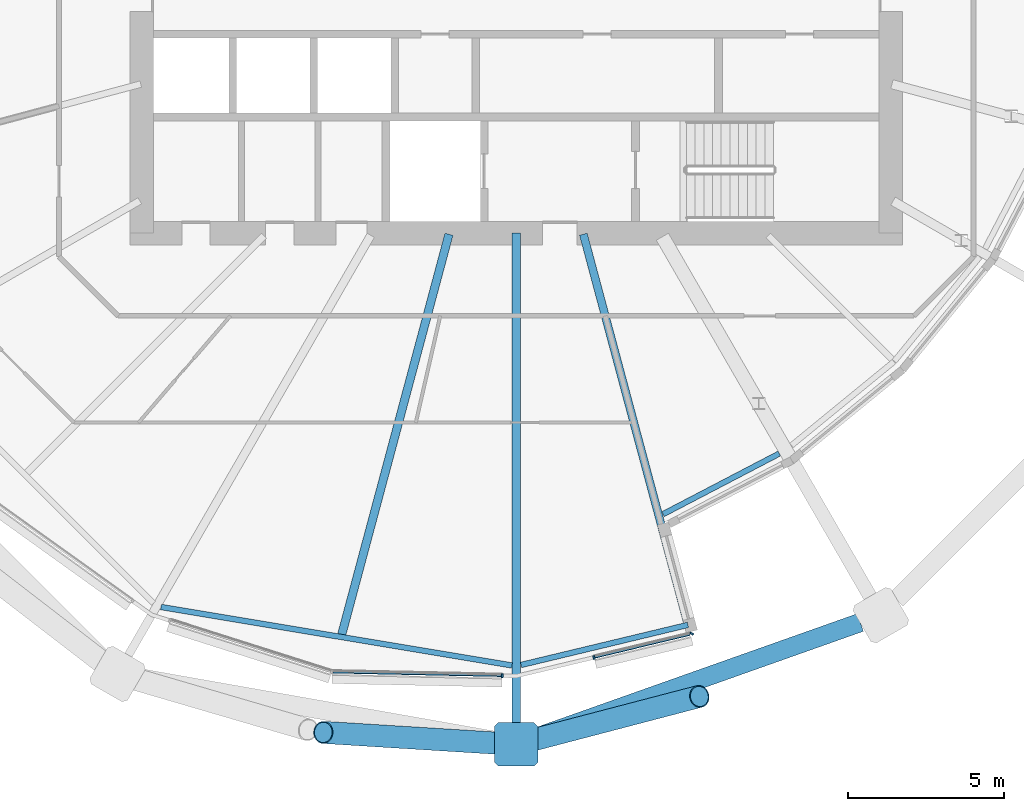
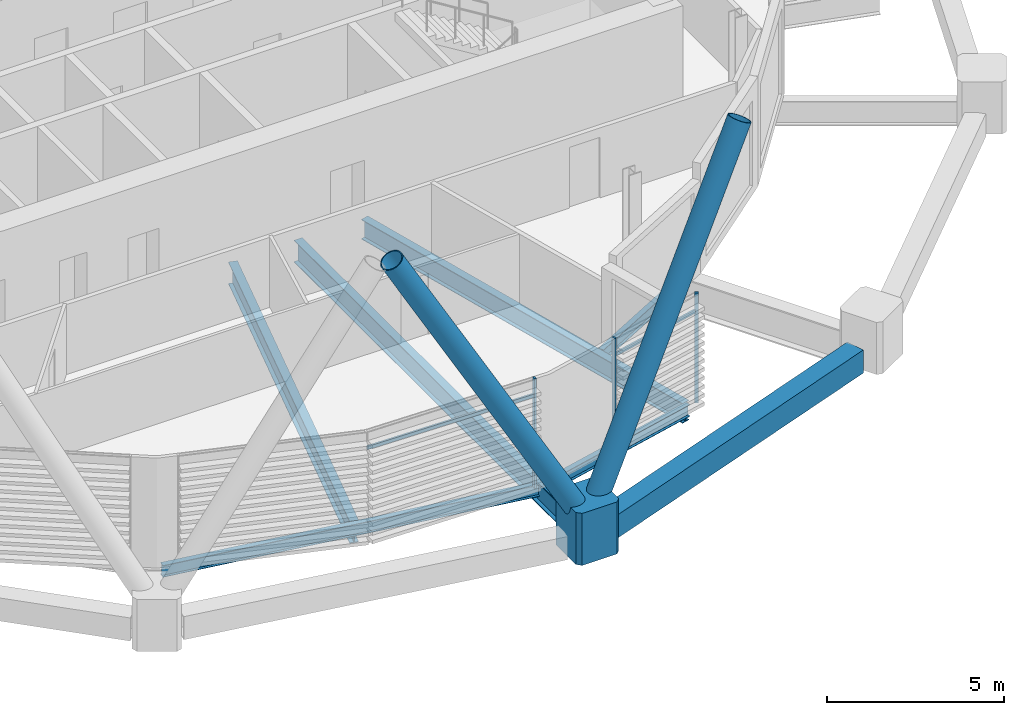
# One storey, part 14 of 38: 8 members, 7 beams, 1 element without a shape of its own.
"""IFC4 building model written with IfcOpenShell, lengths in metres."""

import ifcopenshell
import ifcopenshell.guid

model = None  # the IFC model being written
_history = None  # IfcOwnerHistory: only IFC2X3 demands one
_inside = {}  # id of a spatial element -> (the spatial element, [elements in it])
_under = {}  # id of a project, library or spatial element -> (it, [spatial elements below it])
_declared = {}  # id of a project -> (the project, [libraries it declares])
_typed = {}  # id of a type object -> (the type object, [elements of that type])
_made_of = {}  # id of a material, layer set ... -> (it, [elements and type objects made of it])


def new_model(schema):
    """Start an empty IFC model of exactly this schema.

    Asked for "IFC4X3", IfcOpenShell would pick the latest addendum, in which some entities
    have other attributes; the version numbers below select the first issue.
    IFC2X3 requires an IfcOwnerHistory on every rooted entity: one is made here for all.
    """
    global model, _history
    if schema == "IFC4X3":
        model = ifcopenshell.file(schema_version=(4, 3, 0, 0))
    else:
        model = ifcopenshell.file(schema=schema)
    _inside.clear()
    _under.clear()
    _declared.clear()
    _typed.clear()
    _made_of.clear()
    _history = None
    if model.schema == "IFC2X3":
        org = make("IfcOrganization", Name="unknown")
        user = make(
            "IfcPersonAndOrganization",
            ThePerson=make("IfcPerson", FamilyName="unknown"),
            TheOrganization=org,
        )
        app = make(
            "IfcApplication",
            ApplicationDeveloper=org,
            Version="unknown",
            ApplicationFullName="unknown",
            ApplicationIdentifier="unknown",
        )
        _history = make(
            "IfcOwnerHistory",
            OwningUser=user,
            OwningApplication=app,
            ChangeAction="ADDED",
            CreationDate=0,
        )
    return model


def make(cls, **values):
    """One entity of the class cls with the attributes given. An attribute that is None is left unset."""
    return model.create_entity(
        cls, **{name: value for name, value in values.items() if value is not None}
    )


def rooted(cls, **values):
    """An entity with a GlobalId (a new one), such as an element, a storey or a relation."""
    return make(cls, GlobalId=ifcopenshell.guid.new(), OwnerHistory=_history, **values)


def si_unit(unit_type, name, prefix=None):
    """IfcSIUnit, for example si_unit("LENGTHUNIT", "METRE", prefix="MILLI")."""
    return make("IfcSIUnit", UnitType=unit_type, Prefix=prefix, Name=name)


def assignment(units):
    """IfcUnitAssignment: the units of a project."""
    return None if units is None else make("IfcUnitAssignment", Units=units)


def point(xyz):
    """IfcCartesianPoint."""
    return None if xyz is None else make("IfcCartesianPoint", Coordinates=xyz)


def direction(xyz):
    """IfcDirection."""
    return None if xyz is None else make("IfcDirection", DirectionRatios=xyz)


def frame(location, z_axis=None, x_axis=None):
    """IfcAxis2Placement3D, a coordinate frame: its origin and axes. An axis left out is left unset."""
    return make(
        "IfcAxis2Placement3D",
        Location=point(location),
        Axis=direction(z_axis),
        RefDirection=direction(x_axis),
    )


def frame_2d(location, x_axis=None):
    """IfcAxis2Placement2D, a coordinate frame in the plane: its origin and x axis."""
    return make(
        "IfcAxis2Placement2D", Location=point(location), RefDirection=direction(x_axis)
    )


def origin():
    """The frame at (0, 0, 0) with its axes left unset."""
    return frame((0.0, 0.0, 0.0))


def origin_2d():
    """The frame at (0, 0) in the plane with its x axis left unset."""
    return frame_2d((0.0, 0.0))


def place(relative_to, where):
    """IfcLocalPlacement: puts the frame where relative to a parent placement (None: the world)."""
    return make(
        "IfcLocalPlacement", PlacementRelTo=relative_to, RelativePlacement=where
    )


def context(
    kind, dimensions, precision=None, world=None, true_north=None, identifier=None
):
    """IfcGeometricRepresentationContext, for example the 3D "Model" context."""
    return make(
        "IfcGeometricRepresentationContext",
        ContextIdentifier=identifier,
        ContextType=kind,
        CoordinateSpaceDimension=dimensions,
        Precision=precision,
        WorldCoordinateSystem=world,
        TrueNorth=true_north,
    )


def subcontext(parent, identifier, kind, view, scale=None):
    """IfcGeometricRepresentationSubContext, for example "Body" below "Model"."""
    return make(
        "IfcGeometricRepresentationSubContext",
        ContextIdentifier=identifier,
        ContextType=kind,
        ParentContext=parent,
        TargetScale=scale,
        TargetView=view,
    )


def project(units=None, contexts=None):
    """IfcProject with its units and contexts."""
    return rooted(
        "IfcProject",
        Name="project",
        RepresentationContexts=contexts,
        UnitsInContext=assignment(units),
    )


def spatial(cls, under=None, at=None, **own):
    """A site, building, storey or space (cls), placed at a placement, below another one or the project."""
    s = rooted(cls, ObjectPlacement=at, **own)
    if under is not None:
        _under.setdefault(under.id(), (under, []))[1].append(s)
    return s


def polyline(points):
    """IfcPolyline through the points."""
    return make("IfcPolyline", Points=[point(p) for p in points])


def profile(cls, at=None, kind="AREA", **sizes):
    """A parametric profile (cls). Its sizes go by their IFC names, for example OverallWidth=200.0."""
    return make(cls, ProfileType=kind, Position=at, **sizes)


def rectangle(**sizes):
    """IfcRectangleProfileDef."""
    return profile("IfcRectangleProfileDef", **sizes)


def hollow_rectangle(**sizes):
    """IfcRectangleHollowProfileDef."""
    return profile("IfcRectangleHollowProfileDef", **sizes)


def hollow_circle(**sizes):
    """IfcCircleHollowProfileDef."""
    return profile("IfcCircleHollowProfileDef", **sizes)


def i_section(**sizes):
    """IfcIShapeProfileDef."""
    return profile("IfcIShapeProfileDef", **sizes)


def outline(outer, holes=None, kind="AREA"):
    """IfcArbitraryClosedProfileDef: a profile drawn as a closed curve; with holes, ...WithVoids."""
    if holes is None:
        return make("IfcArbitraryClosedProfileDef", ProfileType=kind, OuterCurve=outer)
    return make(
        "IfcArbitraryProfileDefWithVoids",
        ProfileType=kind,
        OuterCurve=outer,
        InnerCurves=holes,
    )


def extrude(swept, where, along, depth):
    """IfcExtrudedAreaSolid: the profile swept, set in the frame where, extruded along a direction by depth."""
    return make(
        "IfcExtrudedAreaSolid",
        SweptArea=swept,
        Position=where,
        ExtrudedDirection=direction(along),
        Depth=depth,
    )


def shape(context_of_items, identifier, shape_type, items):
    """IfcShapeRepresentation: the items that make up one representation, for example the "Body"."""
    return make(
        "IfcShapeRepresentation",
        ContextOfItems=context_of_items,
        RepresentationIdentifier=identifier,
        RepresentationType=shape_type,
        Items=items,
    )


def material(Name=None, Category=None):
    """IfcMaterial."""
    return make("IfcMaterial", Name=Name, Category=Category)


def material_profile(
    of_material, cross_section, Name=None, Category=None, Priority=None
):
    """IfcMaterialProfile: a cross section and its material."""
    return make(
        "IfcMaterialProfile",
        Name=Name,
        Material=of_material,
        Profile=cross_section,
        Priority=Priority,
        Category=Category,
    )


def profile_set(profiles, Name=None, composite=None):
    """IfcMaterialProfileSet."""
    return make(
        "IfcMaterialProfileSet",
        Name=Name,
        MaterialProfiles=profiles,
        CompositeProfile=composite,
    )


def made_of(thing, what):
    """Note that an element or type object is made of a material, layer set ...; save() writes the relation."""
    if what is not None:
        _made_of.setdefault(what.id(), (what, []))[1].append(thing)
    return thing


def type_object(cls, material=None, **own):
    """A type object (cls), such as IfcWallType, which elements share."""
    return made_of(rooted(cls, **own), material)


def element(
    cls,
    number,
    at=None,
    inside=None,
    cuts=None,
    type_object=None,
    material=None,
    context=None,
    identifier="Body",
    shape_type=None,
    held_by="IfcProductDefinitionShape",
    body=None,
    shapes=None,
    **own,
):
    """One element of the class cls, such as IfcWall. Its Tag is "e" and its number.

    at: its placement. inside: the storey or other place that contains it. cuts: it is an
    opening in that element (IfcRelVoidsElement). A single representation is given by context,
    identifier, shape_type and body (its items); several are given by shapes. held_by: the class
    of the entity that holds the representations. save() writes the other relations.
    """
    e = rooted(cls, Tag="e%d" % number, ObjectPlacement=at, **own)
    if body is not None:
        shapes = [shape(context, identifier, shape_type, body)]
    if shapes is not None:
        e.Representation = make(held_by, Representations=shapes)
    if inside is not None:
        _inside.setdefault(inside.id(), (inside, []))[1].append(e)
    if cuts is not None:
        rooted(
            "IfcRelVoidsElement", RelatingBuildingElement=cuts, RelatedOpeningElement=e
        )
    if type_object is not None:
        _typed.setdefault(type_object.id(), (type_object, []))[1].append(e)
    return made_of(e, material)


def aggregate(whole, parts):
    """IfcRelAggregates: a whole, such as a stair, and the parts it consists of."""
    return rooted("IfcRelAggregates", RelatingObject=whole, RelatedObjects=parts)


def save(model, path):
    """Write the relations noted so far, then the file.

    IfcRelAggregates (storeys below a building ...), IfcRelContainedInSpatialStructure (elements
    in a storey), IfcRelDefinesByType, IfcRelAssociatesMaterial and IfcRelDeclares: one each for
    every whole, place, type object, material and project.
    """
    for whole, parts in _under.values():
        aggregate(whole, parts)
    for where, things in _inside.values():
        rooted(
            "IfcRelContainedInSpatialStructure",
            RelatedElements=things,
            RelatingStructure=where,
        )
    for kind, things in _typed.values():
        rooted("IfcRelDefinesByType", RelatedObjects=things, RelatingType=kind)
    for what, things in _made_of.values():
        rooted("IfcRelAssociatesMaterial", RelatedObjects=things, RelatingMaterial=what)
    for by, libraries in _declared.values():
        rooted("IfcRelDeclares", RelatingContext=by, RelatedDefinitions=libraries)
    model.write(path)


model = new_model("IFC4")

# Units and contexts
model_context = context("Model", 3, precision=1e-05, world=origin(), true_north=direction((0.0, 1.0)))
body_context = subcontext(model_context, "Body", "Model", "MODEL_VIEW")
ifc_project = project(units=[si_unit("LENGTHUNIT", "METRE"), si_unit("AREAUNIT", "SQUARE_METRE"), si_unit("VOLUMEUNIT", "CUBIC_METRE"), si_unit("PLANEANGLEUNIT", "RADIAN"), si_unit("MASSUNIT", "GRAM", prefix="KILO")], contexts=[model_context])

# Site, building, storey
site_placement = place(None, origin())
site = spatial("IfcSite", under=ifc_project, at=site_placement, CompositionType="ELEMENT")
building_placement = place(site_placement, origin())
building = spatial("IfcBuilding", under=site, at=building_placement, Name="Rimbun Link Towers", CompositionType="ELEMENT")
storey_placement = place(building_placement, frame((0.0, 0.0, 93.0)))
storey = spatial("IfcBuildingStorey", under=building, at=storey_placement, Name="L22", CompositionType="ELEMENT", Elevation=93.0)

# Curtain wall, members
ifc_material_1 = material(Name="Aluminium 6063-T6 and low-iron glass", Category="aluminium")
curtain_wall_type = type_object("IfcCurtainWallType", Name="CW1-Z2 unitised vision wall (zone 2)", PredefinedType="NOTDEFINED", material=ifc_material_1)
curtain_wall_placement = place(storey_placement, origin())
curtain_wall = element("IfcCurtainWall", 1, at=curtain_wall_placement, inside=storey, type_object=curtain_wall_type, Name="CW1 L22 T2", PredefinedType="NOTDEFINED")
ifc_material_2 = material(Name="Aluminium 6063-T6", Category="aluminium")
ifc_material_profile_1 = material_profile(ifc_material_2, rectangle(XDim=0.1201171875, YDim=0.06005859375, at=origin_2d()), Name="MULLION 60X120")
ifc_profile_set_1 = profile_set([ifc_material_profile_1], Name="Aluminium 6063-T6")
member_type_1 = type_object("IfcMemberType", Name="CW1 mullion 60X120", PredefinedType="MULLION", material=ifc_profile_set_1)
member_1_placement = place(storey_placement, frame((31.298828125, -22.179443359375, 0.0), z_axis=(0.0, 0.0, 1.0), x_axis=(-0.021059742681, -0.999778219026, 0.0)))
member_1 = element("IfcMember", 2, at=member_1_placement, type_object=member_type_1, Name="CW1 mullion", PredefinedType="MULLION", context=body_context, shape_type="SweptSolid", body=[
    extrude(rectangle(XDim=0.1201171875, YDim=0.06005859375, at=origin_2d()), origin(), (0.0, 0.0, 1.0), 3.800048828125),
])
member_2_placement = place(storey_placement, frame((37.3740234375, -20.826904296875, 0.0), z_axis=(0.0, 0.0, 1.0), x_axis=(0.859188553098, -0.511659095712, 0.0)))
member_2 = element("IfcMember", 3, at=member_2_placement, type_object=member_type_1, Name="CW1 mullion", PredefinedType="MULLION", context=body_context, shape_type="SweptSolid", body=[
    extrude(rectangle(XDim=0.1201171875, YDim=0.06005859375, at=origin_2d()), origin(), (0.0, 0.0, 1.0), 3.800048828125),
])
member_3_placement = place(storey_placement, frame((34.243896484375, -21.59423828125, 0.0), z_axis=(0.0, 0.0, 1.0), x_axis=(0.232601207201, -0.972572197016, 0.0)))
member_3 = element("IfcMember", 4, at=member_3_placement, type_object=member_type_1, Name="CW1 mullion", PredefinedType="MULLION", context=body_context, shape_type="SweptSolid", body=[
    extrude(rectangle(XDim=0.1201171875, YDim=0.06005859375, at=origin_2d()), origin(), (0.0, 0.0, 1.0), 3.800048828125),
])
ifc_material_3 = material(Name="Aluminium 6063-T6", Category="aluminium")
ifc_material_profile_2 = material_profile(ifc_material_3, rectangle(XDim=0.06005859375, YDim=0.1201171875, at=origin_2d()), Name="TRANSOM 60X120")
ifc_profile_set_2 = profile_set([ifc_material_profile_2], Name="Aluminium 6063-T6")
member_type_2 = type_object("IfcMemberType", Name="CW1 transom 60X120", PredefinedType="USERDEFINED", material=ifc_profile_set_2)
member_4_placement = place(storey_placement, frame((31.268798828125, -22.1767578125, 3.199951171875), z_axis=(-0.999778908443, 0.021026988193, 0.0), x_axis=(-0.021026988193, -0.999778908443, 0.0)))
member_4 = element("IfcMember", 5, at=member_4_placement, type_object=member_type_2, Name="CW1 transom", ObjectType="TRANSOM", PredefinedType="USERDEFINED", context=body_context, shape_type="SweptSolid", body=[
    extrude(rectangle(XDim=0.06005859375, YDim=0.1201171875, at=origin_2d()), origin(), (0.0, 0.0, 1.0), 5.387451171875),
])
member_5_placement = place(storey_placement, frame((37.306640625, -20.859619140625, 3.199951171875), z_axis=(-0.972573118722, -0.23259735325, 0.0), x_axis=(0.23259735325, -0.972573118722, 0.0)))
member_5 = element("IfcMember", 6, at=member_5_placement, type_object=member_type_2, Name="CW1 transom", ObjectType="TRANSOM", PredefinedType="USERDEFINED", context=body_context, shape_type="SweptSolid", body=[
    extrude(rectangle(XDim=0.06005859375, YDim=0.1201171875, at=origin_2d()), origin(), (0.0, 0.0, 1.0), 3.119384765625),
])
aggregate(curtain_wall, [member_1, member_2, member_3, member_4, member_5])

# Members
ifc_material_4 = material(Name="Steel S460NH", Category="steel")
ifc_material_profile_3 = material_profile(ifc_material_4, hollow_circle(Radius=0.355712890625, WallThickness=0.031982421875, at=origin_2d()), Name="Diagrid diagonal CHS 711x32")
ifc_profile_set_3 = profile_set([ifc_material_profile_3], Name="Steel S460NH")
member_type_3 = type_object("IfcMemberType", Name="Diagrid diagonal CHS 711x32", PredefinedType="BRACE", material=ifc_profile_set_3)
member_6_placement = place(storey_placement, frame((31.504638671875, -24.36376953125, 0.435302734375), z_axis=(-0.490777024957, 0.030486807129, 0.870751667449), x_axis=(-0.061999958429, -0.998076151982, 0.0)))
element("IfcMember", 7, at=member_6_placement, inside=storey, type_object=member_type_3, Name="Diagrid diagonal T2 L22-L25 15a", PredefinedType="BRACE", context=body_context, shape_type="SweptSolid", body=[
    extrude(hollow_circle(Radius=0.355712890625, WallThickness=0.031982421875, at=origin_2d()), origin(), (0.0, 0.0, 1.0), 12.09228515625),
])
member_7_placement = place(storey_placement, frame((31.984375, -24.317626953125, 0.4375), z_axis=(0.468494566533, 0.122542461997, 0.874926388982), x_axis=(-0.253053090902, 0.96745239324, 0.0)))
element("IfcMember", 8, at=member_7_placement, inside=storey, type_object=member_type_3, Name="Diagrid diagonal T2 L22-L25 15b", PredefinedType="BRACE", context=body_context, shape_type="SweptSolid", body=[
    extrude(hollow_circle(Radius=0.355712890625, WallThickness=0.031982421875, at=origin_2d()), origin(), (0.0, 0.0, 1.0), 12.029541015625),
])
ifc_material_5 = material(Name="Cast steel G20Mn5+QT, Rp0.2 300 MPa", Category="steel")
ifc_material_profile_4 = material_profile(ifc_material_5, outline(polyline([(0.699951171875, -0.570068359375), (0.699951171875, 0.570068359375), (0.570068359375, 0.699951171875), (-0.570068359375, 0.699951171875), (-0.699951171875, 0.570068359375), (-0.699951171875, -0.570068359375), (-0.570068359375, -0.699951171875), (0.570068359375, -0.699951171875), (0.699951171875, -0.570068359375)])), Name="NODE 1400x1400")
ifc_profile_set_4 = profile_set([ifc_material_profile_4], Name="Cast steel G20Mn5+QT, Rp0.2 300 MPa")
member_type_4 = type_object("IfcMemberType", Name="Diagrid node cast 1400", PredefinedType="USERDEFINED", material=ifc_profile_set_4)
member_8_placement = place(storey_placement, frame((31.75, -24.37890625, -0.89990234375), z_axis=(0.0, 0.0, 1.0), x_axis=(0.0, -1.0, 0.0)))
element("IfcMember", 9, at=member_8_placement, inside=storey, type_object=member_type_4, Name="Diagrid node L22 15", ObjectType="Diagrid node", PredefinedType="USERDEFINED", context=body_context, shape_type="SweptSolid", body=[
    extrude(outline(polyline([(0.699951171875, -0.570068359375), (0.699951171875, 0.570068359375), (0.570068359375, 0.699951171875), (-0.570068359375, 0.699951171875), (-0.699951171875, 0.570068359375), (-0.699951171875, -0.570068359375), (-0.570068359375, -0.699951171875), (0.570068359375, -0.699951171875), (0.699951171875, -0.570068359375)])), origin(), (0.0, 0.0, 1.0), 1.7998046875),
])

# Beams
ifc_material_6 = material(Name="Steel S355J2", Category="steel")
ifc_material_profile_5 = material_profile(ifc_material_6, hollow_rectangle(XDim=0.60009765625, YDim=0.800048828125, WallThickness=0.0400390625, at=origin_2d()), Name="Exoskeleton ring girder BOX 600x800x40")
ifc_profile_set_5 = profile_set([ifc_material_profile_5], Name="Steel S355J2")
beam_type_1 = type_object("IfcBeamType", Name="Exoskeleton ring girder BOX 600x800x40", PredefinedType="BEAM", material=ifc_profile_set_5)
beam_1_placement = place(storey_placement, frame((32.409912109375, -24.145263671875, -0.56005859375), z_axis=(0.942614706943, 0.333882485697, 0.0), x_axis=(-0.333882485697, 0.942614706943, 0.0)))
element("IfcBeam", 10, at=beam_1_placement, inside=storey, type_object=beam_type_1, Name="Exoskeleton ring girder L22 07", PredefinedType="BEAM", context=body_context, shape_type="SweptSolid", body=[
    extrude(hollow_rectangle(XDim=0.60009765625, YDim=0.800048828125, WallThickness=0.0400390625, at=origin_2d()), origin(), (0.0, 0.0, 1.0), 10.996826171875),
])
ifc_material_7 = material(Name="Steel S355J2", Category="steel")
ifc_material_profile_6 = material_profile(ifc_material_7, i_section(OverallWidth=0.177978515625, OverallDepth=0.406494140625, WebThickness=0.0078125, FlangeThickness=0.0126953125, at=origin_2d()), Name="UB 406x178x60")
ifc_profile_set_6 = profile_set([ifc_material_profile_6], Name="Steel S355J2")
beam_type_2 = type_object("IfcBeamType", Name="UB 406x178x60", PredefinedType="BEAM", material=ifc_profile_set_6)
beam_2_placement = place(storey_placement, frame((20.37109375, -19.977294921875, -0.36328125), z_axis=(0.986419380736, -0.164246172888, 0.0), x_axis=(0.164246172888, 0.986419380736, 0.0)))
element("IfcBeam", 11, at=beam_2_placement, inside=storey, type_object=beam_type_2, Name="Edge beam T2 L22 13-15", PredefinedType="BEAM", context=body_context, shape_type="SweptSolid", body=[
    extrude(i_section(OverallWidth=0.177978515625, OverallDepth=0.406494140625, WebThickness=0.0078125, FlangeThickness=0.0126953125, at=origin_2d()), origin(), (0.0, 0.0, 1.0), 11.3994140625),
])
beam_3_placement = place(storey_placement, frame((31.905029296875, -21.834716796875, -0.36328125), z_axis=(0.972363131698, 0.233473639014, 0.0), x_axis=(-0.233473639014, 0.972363131698, 0.0)))
element("IfcBeam", 12, at=beam_3_placement, inside=storey, type_object=beam_type_2, Name="Edge beam T2 L22 15", PredefinedType="BEAM", context=body_context, shape_type="SweptSolid", body=[
    extrude(i_section(OverallWidth=0.177978515625, OverallDepth=0.406494140625, WebThickness=0.0078125, FlangeThickness=0.0126953125, at=origin_2d()), origin(), (0.0, 0.0, 1.0), 5.50244140625),
])
beam_4_placement = place(storey_placement, frame((36.4580078125, -17.001953125, -0.36328125), z_axis=(0.88663047013, 0.462478550244, 0.0), x_axis=(-0.462478550244, 0.88663047013, 0.0)))
element("IfcBeam", 13, at=beam_4_placement, inside=storey, type_object=beam_type_2, Name="Edge beam T2 L22 16 recess", PredefinedType="BEAM", context=body_context, shape_type="SweptSolid", body=[
    extrude(i_section(OverallWidth=0.177978515625, OverallDepth=0.406494140625, WebThickness=0.0078125, FlangeThickness=0.0126953125, at=origin_2d()), origin(), (0.0, 0.0, 1.0), 4.19775390625),
])
ifc_material_8 = material(Name="Steel S355J2", Category="steel")
ifc_material_profile_7 = material_profile(ifc_material_8, i_section(OverallWidth=0.253662109375, OverallDepth=0.68359375, WebThickness=0.012451171875, FlangeThickness=0.01904296875, at=origin_2d()), Name="UB 686x254x140")
ifc_profile_set_7 = profile_set([ifc_material_profile_7], Name="Steel S355J2")
beam_type_3 = type_object("IfcBeamType", Name="UB 686x254x140", PredefinedType="BEAM", material=ifc_profile_set_7)
beam_5_placement = place(storey_placement, frame((33.902587890625, -8.03369140625, -0.501708984375), z_axis=(0.25881385149, -0.965927217898, 0.0), x_axis=(0.965927217898, 0.25881385149, 0.0)))
element("IfcBeam", 14, at=beam_5_placement, inside=storey, type_object=beam_type_3, Name="Radial beam T2 L22 16", PredefinedType="BEAM", context=body_context, shape_type="SweptSolid", body=[
    extrude(i_section(OverallWidth=0.253662109375, OverallDepth=0.68359375, WebThickness=0.012451171875, FlangeThickness=0.01904296875, at=origin_2d()), origin(), (0.0, 0.0, 1.0), 12.86767578125),
])
ifc_material_9 = material(Name="Steel S355J2", Category="steel")
ifc_material_profile_8 = material_profile(ifc_material_9, i_section(OverallWidth=0.2666015625, OverallDepth=0.76220703125, WebThickness=0.014404296875, FlangeThickness=0.021484375, at=origin_2d()), Name="UB 762x267x173")
ifc_profile_set_8 = profile_set([ifc_material_profile_8], Name="Steel S355J2")
beam_type_4 = type_object("IfcBeamType", Name="UB 762x267x173", PredefinedType="BEAM", material=ifc_profile_set_8)
beam_6_placement = place(storey_placement, frame((29.596923828125, -8.035400390625, -0.541015625), z_axis=(-0.258820400429, -0.965925463129, 0.0), x_axis=(0.965925463129, -0.258820400429, 0.0)))
element("IfcBeam", 15, at=beam_6_placement, inside=storey, type_object=beam_type_4, Name="Radial beam T2 L22 14", PredefinedType="BEAM", context=body_context, shape_type="SweptSolid", body=[
    extrude(i_section(OverallWidth=0.2666015625, OverallDepth=0.76220703125, WebThickness=0.014404296875, FlangeThickness=0.021484375, at=origin_2d()), origin(), (0.0, 0.0, 1.0), 13.267333984375),
])
beam_7_placement = place(storey_placement, frame((31.75, -8.0009765625, -0.541015625), z_axis=(0.0, -1.0, 0.0), x_axis=(1.0, 0.0, 0.0)))
element("IfcBeam", 16, at=beam_7_placement, inside=storey, type_object=beam_type_4, Name="Radial beam T2 L22 15", PredefinedType="BEAM", context=body_context, shape_type="SweptSolid", body=[
    extrude(i_section(OverallWidth=0.2666015625, OverallDepth=0.76220703125, WebThickness=0.014404296875, FlangeThickness=0.021484375, at=origin_2d()), origin(), (0.0, 0.0, 1.0), 15.8779296875),
])

save(model, "model.ifc")
